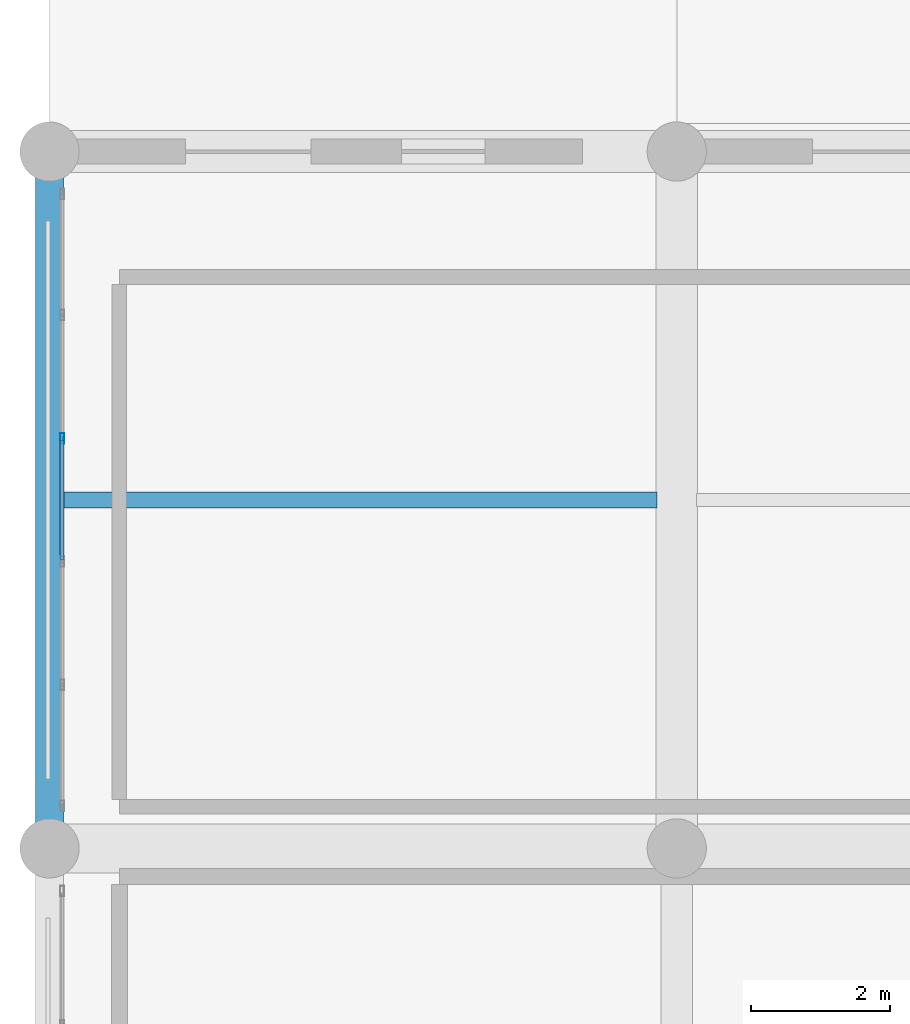
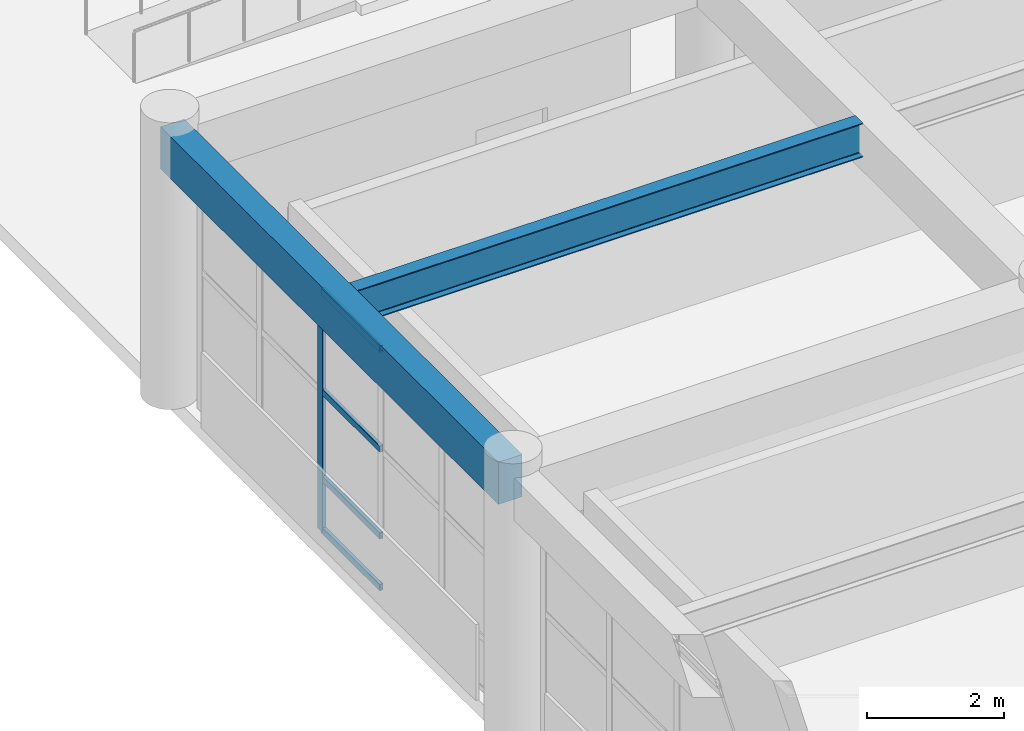
# One storey, part 21 of 128: 5 members, 2 beams, 1 element without a shape of its own.
"""IFC4 building model written with IfcOpenShell, lengths in metres."""

from ifc_helpers import new_model, si_unit, direction, frame, origin, origin_2d, place, context, subcontext, project, spatial, rectangle, hollow_rectangle, i_section, extrude, material, material_profile, profile_set, type_object, element, aggregate, save


model = new_model("IFC4")

# Units and contexts
model_context = context("Model", 3, precision=1e-05, world=origin(), true_north=direction((0.0, 1.0)))
body_context = subcontext(model_context, "Body", "Model", "MODEL_VIEW")
ifc_project = project(units=[si_unit("LENGTHUNIT", "METRE"), si_unit("AREAUNIT", "SQUARE_METRE"), si_unit("VOLUMEUNIT", "CUBIC_METRE"), si_unit("PLANEANGLEUNIT", "RADIAN"), si_unit("MASSUNIT", "GRAM", prefix="KILO")], contexts=[model_context])

# Site, building, storey
site_placement = place(None, origin())
site = spatial("IfcSite", under=ifc_project, at=site_placement, CompositionType="ELEMENT")
building_placement = place(site_placement, origin())
building = spatial("IfcBuilding", under=site, at=building_placement, Name="Miravela Opera House", CompositionType="ELEMENT")
storey_placement = place(building_placement, origin())
storey = spatial("IfcBuildingStorey", under=building, at=storey_placement, Name="L00", CompositionType="ELEMENT", Elevation=0.0)

# Curtain wall, members
ifc_material_1 = material(Name="Anodised architectural bronze aluminium 6063-T6", Category="aluminium")
curtain_wall_type = type_object("IfcCurtainWallType", Name="ARC-CW-07", PredefinedType="NOTDEFINED", material=ifc_material_1)
curtain_wall_placement = place(storey_placement, origin())
curtain_wall = element("IfcCurtainWall", 1, at=curtain_wall_placement, inside=storey, type_object=curtain_wall_type, Name="Courtyard Arcade Curtain Wall CW-L00-194", PredefinedType="NOTDEFINED")
ifc_material_profile_1 = material_profile(ifc_material_1, hollow_rectangle(XDim=0.06005859375, YDim=0.14990234375, WallThickness=0.00390625, InnerFilletRadius=0.001953125, OuterFilletRadius=0.00390625, at=origin_2d()), Name="CWM-60X150")
ifc_profile_set_1 = profile_set([ifc_material_profile_1])
member_type_1 = type_object("IfcMemberType", Name="ARC-CWM-150", PredefinedType="MULLION", material=ifc_profile_set_1)
member_1_placement = place(storey_placement, frame((0.179931640625, 23.884033203125, 0.0), z_axis=(0.0, 0.0, 1.0), x_axis=(-1.0, 0.0, 0.0)))
member_1 = element("IfcMember", 2, at=member_1_placement, type_object=member_type_1, Name="CW-07 mullion 4", PredefinedType="MULLION", context=body_context, shape_type="SweptSolid", body=[
    extrude(hollow_rectangle(XDim=0.06005859375, YDim=0.14990234375, WallThickness=0.00390625, InnerFilletRadius=0.001953125, OuterFilletRadius=0.00390625, at=origin_2d()), origin(), (0.0, 0.0, 1.0), 4.300048828125),
])
ifc_material_profile_2 = material_profile(ifc_material_1, hollow_rectangle(XDim=0.06005859375, YDim=0.114990234375, WallThickness=0.00390625, InnerFilletRadius=0.001953125, OuterFilletRadius=0.00390625, at=origin_2d()), Name="CWT-60X115")
ifc_profile_set_2 = profile_set([ifc_material_profile_2])
member_type_2 = type_object("IfcMemberType", Name="ARC-CWT-115", PredefinedType="USERDEFINED", material=ifc_profile_set_2)
member_2_placement = place(storey_placement, frame((0.179931640625, 22.14599609375, 0.030029296875), z_axis=(0.0, 1.0, 0.0), x_axis=(-1.0, 0.0, 0.0)))
member_2 = element("IfcMember", 3, at=member_2_placement, type_object=member_type_2, Name="CW-07 transom 3.1", ObjectType="TRANSOM", PredefinedType="USERDEFINED", context=body_context, shape_type="SweptSolid", body=[
    extrude(hollow_rectangle(XDim=0.06005859375, YDim=0.114990234375, WallThickness=0.00390625, InnerFilletRadius=0.001953125, OuterFilletRadius=0.00390625, at=origin_2d()), origin(), (0.0, 0.0, 1.0), 1.7080078125),
])
member_3_placement = place(storey_placement, frame((0.179931640625, 22.14599609375, 0.949951171875), z_axis=(0.0, 1.0, 0.0), x_axis=(-1.0, 0.0, 0.0)))
member_3 = element("IfcMember", 4, at=member_3_placement, type_object=member_type_2, Name="CW-07 transom 3.2", ObjectType="TRANSOM", PredefinedType="USERDEFINED", context=body_context, shape_type="SweptSolid", body=[
    extrude(hollow_rectangle(XDim=0.06005859375, YDim=0.114990234375, WallThickness=0.00390625, InnerFilletRadius=0.001953125, OuterFilletRadius=0.00390625, at=origin_2d()), origin(), (0.0, 0.0, 1.0), 1.7080078125),
])
member_4_placement = place(storey_placement, frame((0.179931640625, 22.14599609375, 2.493896484375), z_axis=(0.0, 1.0, 0.0), x_axis=(-1.0, 0.0, 0.0)))
member_4 = element("IfcMember", 5, at=member_4_placement, type_object=member_type_2, Name="CW-07 transom 3.3", ObjectType="TRANSOM", PredefinedType="USERDEFINED", context=body_context, shape_type="SweptSolid", body=[
    extrude(hollow_rectangle(XDim=0.06005859375, YDim=0.114990234375, WallThickness=0.00390625, InnerFilletRadius=0.001953125, OuterFilletRadius=0.00390625, at=origin_2d()), origin(), (0.0, 0.0, 1.0), 1.7080078125),
])
member_5_placement = place(storey_placement, frame((0.179931640625, 22.14599609375, 4.27001953125), z_axis=(0.0, 1.0, 0.0), x_axis=(-1.0, 0.0, 0.0)))
member_5 = element("IfcMember", 6, at=member_5_placement, type_object=member_type_2, Name="CW-07 transom 3.4", ObjectType="TRANSOM", PredefinedType="USERDEFINED", context=body_context, shape_type="SweptSolid", body=[
    extrude(hollow_rectangle(XDim=0.06005859375, YDim=0.114990234375, WallThickness=0.00390625, InnerFilletRadius=0.001953125, OuterFilletRadius=0.00390625, at=origin_2d()), origin(), (0.0, 0.0, 1.0), 1.7080078125),
])
aggregate(curtain_wall, [member_1, member_2, member_3, member_4, member_5])

# Beams
ifc_material_2 = material(Name="Structural steel ASTM A992 Gr. 50", Category="steel")
ifc_material_profile_3 = material_profile(ifc_material_2, i_section(OverallWidth=0.22802734375, OverallDepth=0.60791015625, WebThickness=0.01123046875, FlangeThickness=0.017333984375, FilletRadius=0.01611328125, at=origin_2d()), Name="W610X113")
ifc_profile_set_3 = profile_set([ifc_material_profile_3])
beam_type_1 = type_object("IfcBeamType", Name="STR-BM-W610X113", PredefinedType="BEAM", material=ifc_profile_set_3)
beam_1_placement = place(storey_placement, frame((0.18505859375, 23.0, 4.5458984375), z_axis=(1.0, 0.0, 0.0), x_axis=(0.0, 1.0, 0.0)))
element("IfcBeam", 7, at=beam_1_placement, inside=storey, type_object=beam_type_1, Name="Secondary Floor Joist L00 1-2/C-D", PredefinedType="BEAM", context=body_context, shape_type="SweptSolid", body=[
    extrude(i_section(OverallWidth=0.22802734375, OverallDepth=0.60791015625, WebThickness=0.01123046875, FlangeThickness=0.017333984375, FilletRadius=0.01611328125, at=origin_2d()), origin(), (0.0, 0.0, 1.0), 8.530029296875),
])
ifc_material_3 = material(Name="Concrete C35/45", Category="concrete")
ifc_material_profile_4 = material_profile(ifc_material_3, rectangle(XDim=0.39990234375, YDim=0.75, at=origin_2d()), Name="RC-SPN-400X750")
ifc_profile_set_4 = profile_set([ifc_material_profile_4])
beam_type_2 = type_object("IfcBeamType", Name="STR-SPN-RC400X750", PredefinedType="SPANDREL", material=ifc_profile_set_4)
beam_2_placement = place(storey_placement, frame((0.0, 18.080078125, 4.47509765625), z_axis=(0.0, 1.0, 0.0), x_axis=(-1.0, 0.0, 0.0)))
element("IfcBeam", 8, at=beam_2_placement, inside=storey, type_object=beam_type_2, Name="Floor Girder L00 1/C-D", PredefinedType="SPANDREL", context=body_context, shape_type="SweptSolid", body=[
    extrude(rectangle(XDim=0.39990234375, YDim=0.75, at=origin_2d()), origin(), (0.0, 0.0, 1.0), 9.83984375),
])

save(model, "model.ifc")
